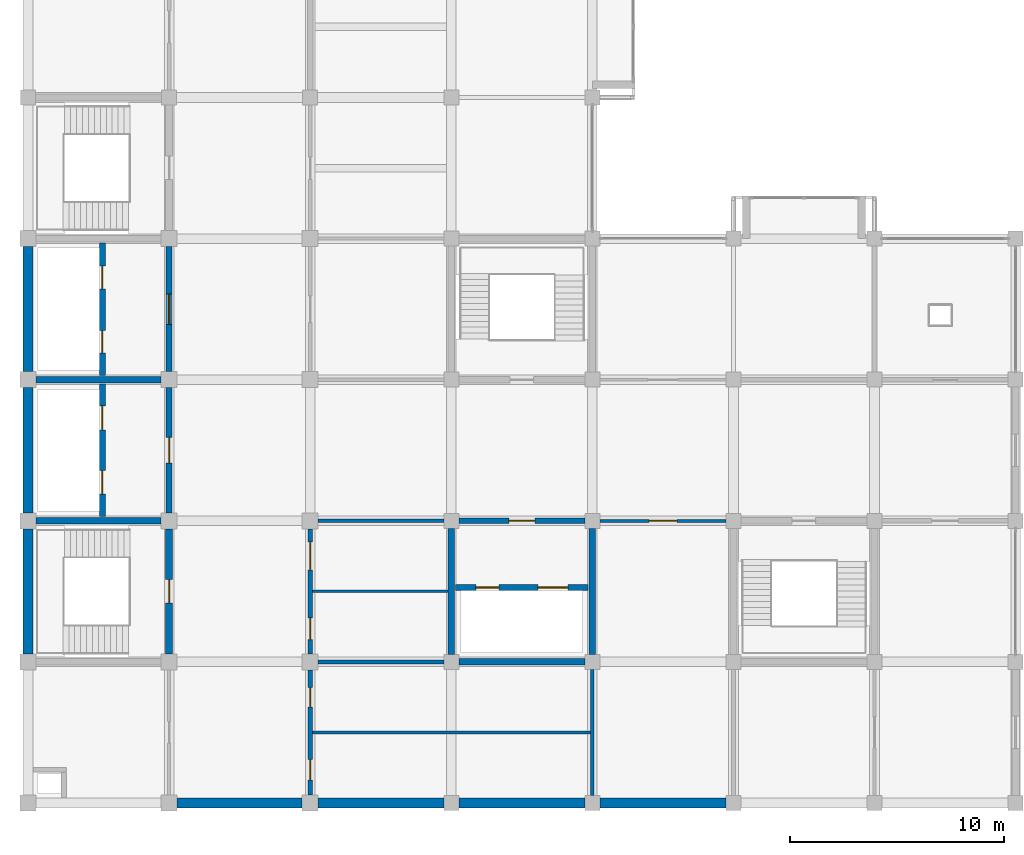
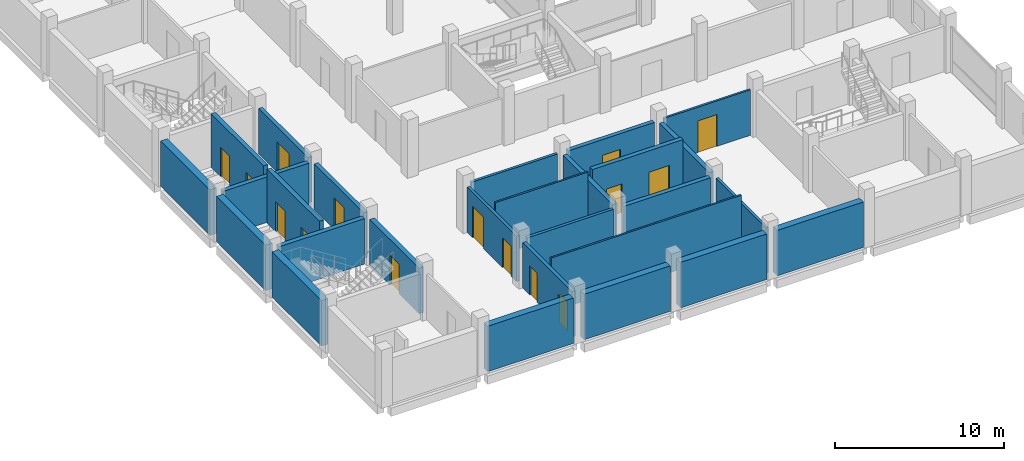
# One storey, part 7 of 11: 27 walls, 15 doors, 15 openings.
"""IFC4 building model written with IfcOpenShell, lengths in metres."""

from ifc_helpers import new_model, si_unit, direction, frame, frame_2d, origin, place, context, subcontext, project, spatial, rectangle, extrude, material, layer, layer_set, type_object, element, fill, save


model = new_model("IFC4")

# Units and contexts
model_context = context("Model", 3, precision=1e-05, world=origin(), true_north=direction((0.0, 1.0)))
body_context = subcontext(model_context, "Body", "Model", "MODEL_VIEW")
ifc_project = project(units=[si_unit("LENGTHUNIT", "METRE"), si_unit("AREAUNIT", "SQUARE_METRE"), si_unit("VOLUMEUNIT", "CUBIC_METRE"), si_unit("PLANEANGLEUNIT", "RADIAN"), si_unit("MASSUNIT", "GRAM", prefix="KILO")], contexts=[model_context])

# Site, building, storey
site_placement = place(None, origin())
site = spatial("IfcSite", under=ifc_project, at=site_placement, CompositionType="ELEMENT")
building_placement = place(site_placement, origin())
building = spatial("IfcBuilding", under=site, at=building_placement, Name="Rusizi Kubbe Research Institute", CompositionType="ELEMENT")
storey_placement = place(building_placement, frame((0.0, 0.0, 39.60009765625)))
storey = spatial("IfcBuildingStorey", under=building, at=storey_placement, Name="L09", CompositionType="ELEMENT", Elevation=39.60009765625)

# Wall
ifc_material_1 = material(Name="Concrete C45/55", Category="concrete")
ifc_layer_1 = layer(ifc_material_1, 0.31494140625)
ifc_layer_set_1 = layer_set([ifc_layer_1], Name="Concrete C45/55")
wall_type_1 = type_object("IfcWallType", Name="CRW-02", PredefinedType="SHEAR", material=ifc_layer_set_1)
wall_1_placement = place(storey_placement, frame((0.375, 13.199951171875, 0.0), z_axis=(0.0, 0.0, 1.0), x_axis=(1.0, 0.0, 0.0)))
element("IfcWall", 1, at=wall_1_placement, inside=storey, type_object=wall_type_1, Name="Stair Core Shear Wall ST1 L09 N", PredefinedType="SHEAR", context=body_context, shape_type="SweptSolid", body=[
    extrude(rectangle(XDim=5.85009765625, YDim=0.31494140625, at=frame_2d((2.925048828125, 0.0))), origin(), (0.0, 0.0, 1.0), 3.289794921875),
])

# Wall, opening, door
wall_2_placement = place(storey_placement, frame((6.60009765625, 6.97509765625, 0.0), z_axis=(0.0, 0.0, 1.0), x_axis=(0.0, 1.0, 0.0)))
wall_2 = element("IfcWall", 2, at=wall_2_placement, inside=storey, type_object=wall_type_1, Name="Stair Core Shear Wall ST1 L09 E", PredefinedType="SHEAR", context=body_context, shape_type="SweptSolid", body=[
    extrude(rectangle(XDim=5.849853515625, YDim=0.31494140625, at=frame_2d((2.9248046875, 0.0))), origin(), (0.0, 0.0, 1.0), 3.289794921875),
])
opening_1_placement = place(wall_2_placement, frame((2.375, 0.0, 0.0)))
opening_1 = element("IfcOpeningElement", 3, at=opening_1_placement, cuts=wall_2, Name="Opening D-01", PredefinedType="OPENING", context=body_context, shape_type="SweptSolid", body=[
    extrude(rectangle(XDim=1.10009765625, YDim=2.14990234375, at=frame_2d((0.550048828125, 1.074951171875))), frame((0.0, 0.16748046875, 0.0), z_axis=(0.0, -1.0, 0.0), x_axis=(1.0, 0.0, 0.0)), (0.0, 0.0, 1.0), 0.3349609375),
])
ifc_material_2 = material(Name="Fire-Rated Steel Frame and Acoustic Timber Leaf", Category="wood")
door_type_1 = type_object("IfcDoorType", Name="ID-STAIR-110", OperationType="NOTDEFINED", PredefinedType="DOOR", material=ifc_material_2)
door_1_placement = place(opening_1_placement, origin())
door_1 = element("IfcDoor", 4, at=door_1_placement, inside=storey, type_object=door_type_1, Name="Exit Stair Door ST1 L09", OperationType="SINGLE_SWING_LEFT", OverallHeight=2.14990234375, OverallWidth=1.10009765625, PredefinedType="DOOR", context=body_context, shape_type="SweptSolid", body=[
    extrude(rectangle(XDim=1.10009765625, YDim=2.14990234375, at=frame_2d((0.550048828125, 1.074951171875))), frame((0.0, 0.02490234375, 0.0), z_axis=(0.0, -1.0, 0.0), x_axis=(1.0, 0.0, 0.0)), (0.0, 0.0, 1.0), 0.050048828125),
])
fill(opening_1, door_1)

# Walls
ifc_material_3 = material(Name="Concrete C40/50", Category="concrete")
ifc_layer_2 = layer(ifc_material_3, 0.294921875)
ifc_layer_set_2 = layer_set([ifc_layer_2], Name="Concrete C40/50")
wall_type_2 = type_object("IfcWallType", Name="CRW-03", PredefinedType="SHEAR", material=ifc_layer_set_2)
wall_3_placement = place(storey_placement, frame((0.375, 19.800048828125, 0.0), z_axis=(0.0, 0.0, 1.0), x_axis=(1.0, 0.0, 0.0)))
element("IfcWall", 5, at=wall_3_placement, inside=storey, type_object=wall_type_2, Name="Lift Core Divider Wall (0,2-3) L09", PredefinedType="SHEAR", context=body_context, shape_type="SweptSolid", body=[
    extrude(rectangle(XDim=5.85009765625, YDim=0.294921875, at=frame_2d((2.925048828125, 0.0))), origin(), (0.0, 0.0, 1.0), 3.289794921875),
])
for number, where, z_axis, x_axis, name in (
    (6, (20.14990234375, 6.60009765625, 0.0), (0.0, 0.0, 1.0), (1.0, 0.0, 0.0), "Lab Lift Core Wall S (3,1) L09"),
    (7, (19.800048828125, 6.949951171875, 0.0), (0.0, 0.0, 1.0), (0.0, 1.0, 0.0), "Lab Lift Core Wall W (3,1) L09"),
    (8, (26.39990234375, 6.949951171875, 0.0), (0.0, 0.0, 1.0), (0.0, 1.0, 0.0), "Lab Lift Core Wall E (3,1) L09"),
):
    element("IfcWall", number, at=place(storey_placement, frame(where, z_axis=z_axis, x_axis=x_axis)), inside=storey, type_object=wall_type_2, Name=name, PredefinedType="SHEAR", context=body_context, shape_type="SweptSolid", body=[
        extrude(rectangle(XDim=5.900146484375, YDim=0.294921875, at=frame_2d((2.9501953125, 0.0))), origin(), (0.0, 0.0, 1.0), 3.289794921875),
    ])

# Wall, openings, doors
wall_4_placement = place(storey_placement, frame((3.47998046875, 13.39990234375, 0.0), z_axis=(0.0, 0.0, 1.0), x_axis=(0.0, 1.0, 0.0)))
wall_4 = element("IfcWall", 9, at=wall_4_placement, inside=storey, type_object=wall_type_2, Name="Firefighting Lift Shaft Front Wall L09", PredefinedType="SHEAR", context=body_context, shape_type="SweptSolid", body=[
    extrude(rectangle(XDim=6.2001953125, YDim=0.294921875, at=frame_2d((3.10009765625, 0.0))), origin(), (0.0, 0.0, 1.0), 3.889892578125),
])
opening_2_placement = place(wall_4_placement, frame((1.050048828125, 0.0, 0.0)))
opening_2 = element("IfcOpeningElement", 10, at=opening_2_placement, cuts=wall_4, Name="Opening LD-01", PredefinedType="OPENING", context=body_context, shape_type="SweptSolid", body=[
    extrude(rectangle(XDim=1.10009765625, YDim=2.14990234375, at=frame_2d((0.550048828125, 1.074951171875))), frame((0.0, 0.157470703125, 0.0), z_axis=(0.0, -1.0, 0.0), x_axis=(1.0, 0.0, 0.0)), (0.0, 0.0, 1.0), 0.31494140625),
])
opening_3_placement = place(wall_4_placement, frame((4.050048828125, 0.0, 0.0)))
opening_3 = element("IfcOpeningElement", 11, at=opening_3_placement, cuts=wall_4, Name="Opening LD-02", PredefinedType="OPENING", context=body_context, shape_type="SweptSolid", body=[
    extrude(rectangle(XDim=1.1201171875, YDim=2.14990234375, at=frame_2d((0.56005859375, 1.074951171875))), frame((0.0, 0.157470703125, 0.0), z_axis=(0.0, -1.0, 0.0), x_axis=(1.0, 0.0, 0.0)), (0.0, 0.0, 1.0), 0.31494140625),
])
ifc_material_4 = material(Name="Brushed Stainless Steel Sliding Door", Category="steel")
door_type_2 = type_object("IfcDoorType", Name="LD-01", OperationType="DOUBLE_DOOR_SLIDING", PredefinedType="USERDEFINED", material=ifc_material_4)
door_2_placement = place(opening_2_placement, origin())
door_2 = element("IfcDoor", 12, at=door_2_placement, inside=storey, type_object=door_type_2, Name="Lift Landing Sliding Door FL1 L09", ObjectType="SLIDING DOOR", OperationType="DOUBLE_DOOR_SLIDING", OverallHeight=2.14990234375, OverallWidth=1.10009765625, PredefinedType="USERDEFINED", context=body_context, shape_type="SweptSolid", body=[
    extrude(rectangle(XDim=1.10009765625, YDim=2.14990234375, at=frame_2d((0.550048828125, 1.074951171875))), frame((0.0, 0.02490234375, 0.0), z_axis=(0.0, -1.0, 0.0), x_axis=(1.0, 0.0, 0.0)), (0.0, 0.0, 1.0), 0.050048828125),
])
fill(opening_2, door_2)
ifc_material_5 = material(Name="Brushed Stainless Steel Sliding Door", Category="steel")
door_type_3 = type_object("IfcDoorType", Name="LD-02", OperationType="DOUBLE_DOOR_SLIDING", PredefinedType="USERDEFINED", material=ifc_material_5)
door_3_placement = place(opening_3_placement, origin())
door_3 = element("IfcDoor", 13, at=door_3_placement, inside=storey, type_object=door_type_3, Name="Lift Landing Sliding Door FL2 L09", ObjectType="SLIDING DOOR", OperationType="DOUBLE_DOOR_SLIDING", OverallHeight=2.14990234375, OverallWidth=1.1201171875, PredefinedType="USERDEFINED", context=body_context, shape_type="SweptSolid", body=[
    extrude(rectangle(XDim=1.1201171875, YDim=2.14990234375, at=frame_2d((0.56005859375, 1.074951171875))), frame((0.0, 0.02490234375, 0.0), z_axis=(0.0, -1.0, 0.0), x_axis=(1.0, 0.0, 0.0)), (0.0, 0.0, 1.0), 0.050048828125),
])
fill(opening_3, door_3)

wall_5_placement = place(storey_placement, frame((3.47998046875, 20.0, 0.0), z_axis=(0.0, 0.0, 1.0), x_axis=(0.0, 1.0, 0.0)))
wall_5 = element("IfcWall", 14, at=wall_5_placement, inside=storey, type_object=wall_type_2, Name="Passenger Lift Shaft Front Wall L09", PredefinedType="SHEAR", context=body_context, shape_type="SweptSolid", body=[
    extrude(rectangle(XDim=6.199951171875, YDim=0.294921875, at=frame_2d((3.10009765625, 0.0))), origin(), (0.0, 0.0, 1.0), 3.889892578125),
])
opening_4_placement = place(wall_5_placement, frame((1.050048828125, 0.0, 0.0)))
opening_4 = element("IfcOpeningElement", 15, at=opening_4_placement, cuts=wall_5, Name="Opening LD-03", PredefinedType="OPENING", context=body_context, shape_type="SweptSolid", body=[
    extrude(rectangle(XDim=1.050048828125, YDim=2.14990234375, at=frame_2d((0.52490234375, 1.074951171875))), frame((0.0, 0.157470703125, 0.0), z_axis=(0.0, -1.0, 0.0), x_axis=(1.0, 0.0, 0.0)), (0.0, 0.0, 1.0), 0.31494140625),
])
opening_5_placement = place(wall_5_placement, frame((4.050048828125, 0.0, 0.0)))
opening_5 = element("IfcOpeningElement", 16, at=opening_5_placement, cuts=wall_5, Name="Opening LD-04", PredefinedType="OPENING", context=body_context, shape_type="SweptSolid", body=[
    extrude(rectangle(XDim=1.06005859375, YDim=2.14990234375, at=frame_2d((0.530029296875, 1.074951171875))), frame((0.0, 0.157470703125, 0.0), z_axis=(0.0, -1.0, 0.0), x_axis=(1.0, 0.0, 0.0)), (0.0, 0.0, 1.0), 0.31494140625),
])
ifc_material_6 = material(Name="Brushed Stainless Steel Sliding Door", Category="steel")
door_type_4 = type_object("IfcDoorType", Name="LD-03", OperationType="DOUBLE_DOOR_SLIDING", PredefinedType="USERDEFINED", material=ifc_material_6)
door_4_placement = place(opening_4_placement, origin())
door_4 = element("IfcDoor", 17, at=door_4_placement, inside=storey, type_object=door_type_4, Name="Lift Landing Sliding Door LP1 L09", ObjectType="SLIDING DOOR", OperationType="DOUBLE_DOOR_SLIDING", OverallHeight=2.14990234375, OverallWidth=1.050048828125, PredefinedType="USERDEFINED", context=body_context, shape_type="SweptSolid", body=[
    extrude(rectangle(XDim=1.050048828125, YDim=2.14990234375, at=frame_2d((0.52490234375, 1.074951171875))), frame((0.0, 0.02490234375, 0.0), z_axis=(0.0, -1.0, 0.0), x_axis=(1.0, 0.0, 0.0)), (0.0, 0.0, 1.0), 0.050048828125),
])
fill(opening_4, door_4)
ifc_material_7 = material(Name="Brushed Stainless Steel Sliding Door", Category="steel")
door_type_5 = type_object("IfcDoorType", Name="LD-04", OperationType="DOUBLE_DOOR_SLIDING", PredefinedType="USERDEFINED", material=ifc_material_7)
door_5_placement = place(opening_5_placement, origin())
door_5 = element("IfcDoor", 18, at=door_5_placement, inside=storey, type_object=door_type_5, Name="Lift Landing Sliding Door LP2 L09", ObjectType="SLIDING DOOR", OperationType="DOUBLE_DOOR_SLIDING", OverallHeight=2.14990234375, OverallWidth=1.06005859375, PredefinedType="USERDEFINED", context=body_context, shape_type="SweptSolid", body=[
    extrude(rectangle(XDim=1.06005859375, YDim=2.14990234375, at=frame_2d((0.530029296875, 1.074951171875))), frame((0.0, 0.02490234375, 0.0), z_axis=(0.0, -1.0, 0.0), x_axis=(1.0, 0.0, 0.0)), (0.0, 0.0, 1.0), 0.050048828125),
])
fill(opening_5, door_5)

wall_6_placement = place(storey_placement, frame((20.0, 10.080078125, 0.0), z_axis=(0.0, 0.0, 1.0), x_axis=(1.0, 0.0, 0.0)))
wall_6 = element("IfcWall", 19, at=wall_6_placement, inside=storey, type_object=wall_type_2, Name="Goods Lift Shaft Front Wall L09", PredefinedType="SHEAR", context=body_context, shape_type="SweptSolid", body=[
    extrude(rectangle(XDim=6.199951171875, YDim=0.294921875, at=frame_2d((3.10009765625, 0.0))), origin(), (0.0, 0.0, 1.0), 3.889892578125),
])
opening_6_placement = place(wall_6_placement, frame((0.949951171875, 0.0, 0.0)))
opening_6 = element("IfcOpeningElement", 20, at=opening_6_placement, cuts=wall_6, Name="Opening LD-05", PredefinedType="OPENING", context=body_context, shape_type="SweptSolid", body=[
    extrude(rectangle(XDim=1.080078125, YDim=2.14990234375, at=frame_2d((0.5400390625, 1.074951171875))), frame((0.0, 0.157470703125, 0.0), z_axis=(0.0, -1.0, 0.0), x_axis=(1.0, 0.0, 0.0)), (0.0, 0.0, 1.0), 0.31494140625),
])
opening_7_placement = place(wall_6_placement, frame((3.85009765625, 0.0, 0.0)))
opening_7 = element("IfcOpeningElement", 21, at=opening_7_placement, cuts=wall_6, Name="Opening LD-06", PredefinedType="OPENING", context=body_context, shape_type="SweptSolid", body=[
    extrude(rectangle(XDim=1.39990234375, YDim=2.35009765625, at=frame_2d((0.699951171875, 1.175048828125))), frame((0.0, 0.157470703125, 0.0), z_axis=(0.0, -1.0, 0.0), x_axis=(1.0, 0.0, 0.0)), (0.0, 0.0, 1.0), 0.31494140625),
])
ifc_material_8 = material(Name="Brushed Stainless Steel Sliding Door", Category="steel")
door_type_6 = type_object("IfcDoorType", Name="LD-05", OperationType="DOUBLE_DOOR_SLIDING", PredefinedType="USERDEFINED", material=ifc_material_8)
door_6_placement = place(opening_6_placement, origin())
door_6 = element("IfcDoor", 22, at=door_6_placement, inside=storey, type_object=door_type_6, Name="Lift Landing Sliding Door LP3 L09", ObjectType="SLIDING DOOR", OperationType="DOUBLE_DOOR_SLIDING", OverallHeight=2.14990234375, OverallWidth=1.080078125, PredefinedType="USERDEFINED", context=body_context, shape_type="SweptSolid", body=[
    extrude(rectangle(XDim=1.080078125, YDim=2.14990234375, at=frame_2d((0.5400390625, 1.074951171875))), frame((0.0, 0.02490234375, 0.0), z_axis=(0.0, -1.0, 0.0), x_axis=(1.0, 0.0, 0.0)), (0.0, 0.0, 1.0), 0.050048828125),
])
fill(opening_6, door_6)
ifc_material_9 = material(Name="Brushed Stainless Steel Sliding Door", Category="steel")
door_type_7 = type_object("IfcDoorType", Name="LD-06", OperationType="DOUBLE_DOOR_SLIDING", PredefinedType="USERDEFINED", material=ifc_material_9)
door_7_placement = place(opening_7_placement, origin())
door_7 = element("IfcDoor", 23, at=door_7_placement, inside=storey, type_object=door_type_7, Name="Lift Landing Sliding Door LG1 L09", ObjectType="SLIDING DOOR", OperationType="DOUBLE_DOOR_SLIDING", OverallHeight=2.35009765625, OverallWidth=1.39990234375, PredefinedType="USERDEFINED", context=body_context, shape_type="SweptSolid", body=[
    extrude(rectangle(XDim=1.39990234375, YDim=2.35009765625, at=frame_2d((0.699951171875, 1.175048828125))), frame((0.0, 0.02490234375, 0.0), z_axis=(0.0, -1.0, 0.0), x_axis=(1.0, 0.0, 0.0)), (0.0, 0.0, 1.0), 0.050048828125),
])
fill(opening_7, door_7)

ifc_material_10 = material(Name="Concrete Blockwork Fire Partition", Category="masonry")
ifc_layer_3 = layer(ifc_material_10, 0.22509765625)
ifc_layer_set_3 = layer_set([ifc_layer_3], Name="Concrete Blockwork Fire Partition")
wall_type_3 = type_object("IfcWallType", Name="IW-01", PredefinedType="PARTITIONING", material=ifc_layer_set_3)
wall_7_placement = place(storey_placement, frame((13.199951171875, 0.375, 0.0), z_axis=(0.0, 0.0, 1.0), x_axis=(0.0, 1.0, 0.0)))
wall_7 = element("IfcWall", 24, at=wall_7_placement, inside=storey, type_object=wall_type_3, Name="Sanitary Core West Corridor Wall L09", PredefinedType="PARTITIONING", context=body_context, shape_type="SweptSolid", body=[
    extrude(rectangle(XDim=5.85009765625, YDim=0.22509765625, at=frame_2d((2.925048828125, 0.0))), origin(), (0.0, 0.0, 1.0), 3.289794921875),
])
opening_8_placement = place(wall_7_placement, frame((0.699951171875, 0.0, 0.0)))
opening_8 = element("IfcOpeningElement", 25, at=opening_8_placement, cuts=wall_7, Name="Opening D-06", PredefinedType="OPENING", context=body_context, shape_type="SweptSolid", body=[
    extrude(rectangle(XDim=0.949951171875, YDim=2.10009765625, at=frame_2d((0.47509765625, 1.050048828125))), frame((0.0, 0.12255859375, 0.0), z_axis=(0.0, -1.0, 0.0), x_axis=(1.0, 0.0, 0.0)), (0.0, 0.0, 1.0), 0.2451171875),
])
opening_9_placement = place(wall_7_placement, frame((4.125, 0.0, 0.0)))
opening_9 = element("IfcOpeningElement", 26, at=opening_9_placement, cuts=wall_7, Name="Opening D-05", PredefinedType="OPENING", context=body_context, shape_type="SweptSolid", body=[
    extrude(rectangle(XDim=0.89990234375, YDim=2.10009765625, at=frame_2d((0.449951171875, 1.050048828125))), frame((0.0, 0.12255859375, 0.0), z_axis=(0.0, -1.0, 0.0), x_axis=(1.0, 0.0, 0.0)), (0.0, 0.0, 1.0), 0.2451171875),
])
ifc_material_11 = material(Name="Fire-Rated Steel Frame and Acoustic Timber Leaf", Category="wood")
door_type_8 = type_object("IfcDoorType", Name="ID-WC-900", OperationType="NOTDEFINED", PredefinedType="DOOR", material=ifc_material_11)
door_8_placement = place(opening_9_placement, origin())
door_8 = element("IfcDoor", 27, at=door_8_placement, inside=storey, type_object=door_type_8, Name="Door to Female Toilet Room (L09-WC-F)", OperationType="SINGLE_SWING_LEFT", OverallHeight=2.10009765625, OverallWidth=0.89990234375, PredefinedType="DOOR", context=body_context, shape_type="SweptSolid", body=[
    extrude(rectangle(XDim=0.89990234375, YDim=2.10009765625, at=frame_2d((0.449951171875, 1.050048828125))), frame((0.0, 0.02490234375, 0.0), z_axis=(0.0, -1.0, 0.0), x_axis=(1.0, 0.0, 0.0)), (0.0, 0.0, 1.0), 0.050048828125),
])
fill(opening_9, door_8)
ifc_material_12 = material(Name="Fire-Rated Steel Frame and Acoustic Timber Leaf", Category="wood")
door_type_9 = type_object("IfcDoorType", Name="ID-WC-950", OperationType="NOTDEFINED", PredefinedType="DOOR", material=ifc_material_12)
door_9_placement = place(opening_8_placement, origin())
door_9 = element("IfcDoor", 28, at=door_9_placement, inside=storey, type_object=door_type_9, Name="Door to Male Toilet Room (L09-WC-M)", OperationType="SINGLE_SWING_RIGHT", OverallHeight=2.10009765625, OverallWidth=0.949951171875, PredefinedType="DOOR", context=body_context, shape_type="SweptSolid", body=[
    extrude(rectangle(XDim=0.949951171875, YDim=2.10009765625, at=frame_2d((0.47509765625, 1.050048828125))), frame((0.0, 0.02490234375, 0.0), z_axis=(0.0, -1.0, 0.0), x_axis=(1.0, 0.0, 0.0)), (0.0, 0.0, 1.0), 0.050048828125),
])
fill(opening_8, door_9)

# Wall
ifc_material_13 = material(Name="Insulated Cleanroom Partition", Category="masonry")
ifc_layer_4 = layer(ifc_material_13, 0.195068359375)
ifc_layer_set_4 = layer_set([ifc_layer_4], Name="Insulated Cleanroom Partition")
wall_type_4 = type_object("IfcWallType", Name="IW-02", PredefinedType="PARTITIONING", material=ifc_layer_set_4)
wall_8_placement = place(storey_placement, frame((13.574951171875, 6.60009765625, 0.0), z_axis=(0.0, 0.0, 1.0), x_axis=(1.0, 0.0, 0.0)))
element("IfcWall", 29, at=wall_8_placement, inside=storey, type_object=wall_type_4, Name="Sanitary Core North Divider Wall L09", PredefinedType="PARTITIONING", context=body_context, shape_type="SweptSolid", body=[
    extrude(rectangle(XDim=5.875, YDim=0.195068359375, at=frame_2d((2.9375, 0.0))), origin(), (0.0, 0.0, 1.0), 3.289794921875),
])

# Wall, openings, doors
wall_9_placement = place(storey_placement, frame((13.199951171875, 6.97509765625, 0.0), z_axis=(0.0, 0.0, 1.0), x_axis=(0.0, 1.0, 0.0)))
wall_9 = element("IfcWall", 30, at=wall_9_placement, inside=storey, type_object=wall_type_4, Name="Accessible WC and Store West Wall L09", PredefinedType="PARTITIONING", context=body_context, shape_type="SweptSolid", body=[
    extrude(rectangle(XDim=5.849853515625, YDim=0.195068359375, at=frame_2d((2.9248046875, 0.0))), origin(), (0.0, 0.0, 1.0), 3.289794921875),
])
opening_10_placement = place(wall_9_placement, frame((0.6650390625, 0.0, 0.0)))
opening_10 = element("IfcOpeningElement", 31, at=opening_10_placement, cuts=wall_9, Name="Opening D-07", PredefinedType="OPENING", context=body_context, shape_type="SweptSolid", body=[
    extrude(rectangle(XDim=1.02001953125, YDim=2.14990234375, at=frame_2d((0.510009765625, 1.074951171875))), frame((0.0, 0.107421875, 0.0), z_axis=(0.0, -1.0, 0.0), x_axis=(1.0, 0.0, 0.0)), (0.0, 0.0, 1.0), 0.215087890625),
])
opening_11_placement = place(wall_9_placement, frame((3.925048828125, 0.0, 0.0)))
opening_11 = element("IfcOpeningElement", 32, at=opening_11_placement, cuts=wall_9, Name="Opening D-14", PredefinedType="OPENING", context=body_context, shape_type="SweptSolid", body=[
    extrude(rectangle(XDim=1.300048828125, YDim=2.300048828125, at=frame_2d((0.64990234375, 1.14990234375))), frame((0.0, 0.107421875, 0.0), z_axis=(0.0, -1.0, 0.0), x_axis=(1.0, 0.0, 0.0)), (0.0, 0.0, 1.0), 0.215087890625),
])
ifc_material_14 = material(Name="Fire-Rated Steel Frame and Acoustic Timber Leaf", Category="wood")
door_type_10 = type_object("IfcDoorType", Name="ID-LAB-130", OperationType="NOTDEFINED", PredefinedType="DOOR", material=ifc_material_14)
door_10_placement = place(opening_11_placement, origin())
door_10 = element("IfcDoor", 33, at=door_10_placement, inside=storey, type_object=door_type_10, Name="Door to Laboratory Reagent Store (L09-STR-01)", OperationType="SINGLE_SWING_RIGHT", OverallHeight=2.300048828125, OverallWidth=1.300048828125, PredefinedType="DOOR", context=body_context, shape_type="SweptSolid", body=[
    extrude(rectangle(XDim=1.300048828125, YDim=2.300048828125, at=frame_2d((0.64990234375, 1.14990234375))), frame((0.0, 0.02490234375, 0.0), z_axis=(0.0, -1.0, 0.0), x_axis=(1.0, 0.0, 0.0)), (0.0, 0.0, 1.0), 0.050048828125),
])
fill(opening_11, door_10)
ifc_material_15 = material(Name="Fire-Rated Steel Frame and Acoustic Timber Leaf", Category="wood")
door_type_11 = type_object("IfcDoorType", Name="ID-WC-ACC", OperationType="NOTDEFINED", PredefinedType="DOOR", material=ifc_material_15)
door_11_placement = place(opening_10_placement, origin())
door_11 = element("IfcDoor", 34, at=door_11_placement, inside=storey, type_object=door_type_11, Name="Door to Accessible Toilet Room (L09-WC-ACC)", OperationType="SINGLE_SWING_LEFT", OverallHeight=2.14990234375, OverallWidth=1.02001953125, PredefinedType="DOOR", context=body_context, shape_type="SweptSolid", body=[
    extrude(rectangle(XDim=1.02001953125, YDim=2.14990234375, at=frame_2d((0.510009765625, 1.074951171875))), frame((0.0, 0.02490234375, 0.0), z_axis=(0.0, -1.0, 0.0), x_axis=(1.0, 0.0, 0.0)), (0.0, 0.0, 1.0), 0.050048828125),
])
fill(opening_10, door_11)

# Walls
ifc_material_16 = material(Name="Acoustic Laboratory Partition", Category="masonry")
ifc_layer_5 = layer(ifc_material_16, 0.175048828125)
ifc_layer_set_5 = layer_set([ifc_layer_5], Name="Acoustic Laboratory Partition")
wall_type_5 = type_object("IfcWallType", Name="IW-03", PredefinedType="PARTITIONING", material=ifc_layer_set_5)
wall_10_placement = place(storey_placement, frame((26.39990234375, 0.35009765625, 0.0), z_axis=(0.0, 0.0, 1.0), x_axis=(0.0, 1.0, 0.0)))
element("IfcWall", 35, at=wall_10_placement, inside=storey, type_object=wall_type_5, Name="Sanitary Core East Enclosing Wall L09", PredefinedType="PARTITIONING", context=body_context, shape_type="SweptSolid", body=[
    extrude(rectangle(XDim=5.89990234375, YDim=0.175048828125, at=frame_2d((2.949951171875, 0.0))), origin(), (0.0, 0.0, 1.0), 3.289794921875),
])
wall_11_placement = place(storey_placement, frame((13.574951171875, 13.199951171875, 0.0), z_axis=(0.0, 0.0, 1.0), x_axis=(1.0, 0.0, 0.0)))
element("IfcWall", 36, at=wall_11_placement, inside=storey, type_object=wall_type_5, Name="Reagent Store North Corridor Wall L09", PredefinedType="PARTITIONING", context=body_context, shape_type="SweptSolid", body=[
    extrude(rectangle(XDim=5.875, YDim=0.175048828125, at=frame_2d((2.9375, 0.0))), origin(), (0.0, 0.0, 1.0), 3.289794921875),
])

# Wall, opening, door
ifc_material_17 = material(Name="Write-up Glazed Acoustic Partition", Category="masonry")
ifc_layer_6 = layer(ifc_material_17, 0.139892578125)
ifc_layer_set_6 = layer_set([ifc_layer_6], Name="Write-up Glazed Acoustic Partition")
wall_type_6 = type_object("IfcWallType", Name="IW-05", PredefinedType="PARTITIONING", material=ifc_layer_set_6)
wall_12_placement = place(storey_placement, frame((26.75, 13.199951171875, 0.0), z_axis=(0.0, 0.0, 1.0), x_axis=(1.0, 0.0, 0.0)))
wall_12 = element("IfcWall", 37, at=wall_12_placement, inside=storey, type_object=wall_type_6, Name="Interior Partition Wall L09 H4-2", PredefinedType="PARTITIONING", context=body_context, shape_type="SweptSolid", body=[
    extrude(rectangle(XDim=5.89990234375, YDim=0.139892578125, at=frame_2d((2.949951171875, 0.0))), origin(), (0.0, 0.0, 1.0), 3.289794921875),
])
opening_12_placement = place(wall_12_placement, frame((2.300048828125, 0.0, 0.0)))
opening_12 = element("IfcOpeningElement", 38, at=opening_12_placement, cuts=wall_12, Name="Opening D-14", PredefinedType="OPENING", context=body_context, shape_type="SweptSolid", body=[
    extrude(rectangle(XDim=1.300048828125, YDim=2.300048828125, at=frame_2d((0.64990234375, 1.14990234375))), frame((0.0, 0.079833984375, 0.0), z_axis=(0.0, -1.0, 0.0), x_axis=(1.0, 0.0, 0.0)), (0.0, 0.0, 1.0), 0.159912109375),
])
door_12_placement = place(opening_12_placement, origin())
door_12 = element("IfcDoor", 39, at=door_12_placement, inside=storey, type_object=door_type_10, Name="Door to Clean Room Process Suite (L09-EWS-01)", OperationType="SINGLE_SWING_RIGHT", OverallHeight=2.300048828125, OverallWidth=1.300048828125, PredefinedType="DOOR", context=body_context, shape_type="SweptSolid", body=[
    extrude(rectangle(XDim=1.300048828125, YDim=2.300048828125, at=frame_2d((0.64990234375, 1.14990234375))), frame((0.0, 0.02490234375, 0.0), z_axis=(0.0, -1.0, 0.0), x_axis=(1.0, 0.0, 0.0)), (0.0, 0.0, 1.0), 0.050048828125),
])
fill(opening_12, door_12)

# Walls
ifc_material_18 = material(Name="Sanitary Wet-Wall Partition", Category="masonry")
ifc_layer_7 = layer(ifc_material_18, 0.125)
ifc_layer_set_7 = layer_set([ifc_layer_7], Name="Sanitary Wet-Wall Partition")
wall_type_7 = type_object("IfcWallType", Name="IW-06", PredefinedType="PARTITIONING", material=ifc_layer_set_7)
wall_13_placement = place(storey_placement, frame((13.3173828125, 3.300048828125, 0.0), z_axis=(0.0, 0.0, 1.0), x_axis=(1.0, 0.0, 0.0)))
element("IfcWall", 40, at=wall_13_placement, inside=storey, type_object=wall_type_7, Name="Sanitary Divider Wall L09-1", PredefinedType="PARTITIONING", context=body_context, shape_type="SweptSolid", body=[
    extrude(rectangle(XDim=12.990234375, YDim=0.125, at=frame_2d((6.4951171875, 0.0))), origin(), (0.0, 0.0, 1.0), 3.889892578125),
])
wall_14_placement = place(storey_placement, frame((13.302490234375, 9.89990234375, 0.0), z_axis=(0.0, 0.0, 1.0), x_axis=(1.0, 0.0, 0.0)))
element("IfcWall", 41, at=wall_14_placement, inside=storey, type_object=wall_type_7, Name="Sanitary Divider Wall L09-2", PredefinedType="PARTITIONING", context=body_context, shape_type="SweptSolid", body=[
    extrude(rectangle(XDim=6.344970703125, YDim=0.125, at=frame_2d((3.17236328125, 0.0))), origin(), (0.0, 0.0, 1.0), 3.889892578125),
])
ifc_material_19 = material(Name="Concrete C40/50", Category="concrete")
ifc_layer_8 = layer(ifc_material_19, 0.4599609375)
ifc_layer_set_8 = layer_set([ifc_layer_8], Name="Concrete C40/50")
wall_type_8 = type_object("IfcWallType", Name="PW-02", PredefinedType="SOLIDWALL", material=ifc_layer_set_8)
wall_15_placement = place(storey_placement, frame((0.0, 6.97509765625, 0.0), z_axis=(0.0, 0.0, 1.0), x_axis=(0.0, 1.0, 0.0)))
element("IfcWall", 42, at=wall_15_placement, inside=storey, type_object=wall_type_8, Name="Blind Party Wall L09 V0-1", PredefinedType="SOLIDWALL", context=body_context, shape_type="SweptSolid", body=[
    extrude(rectangle(XDim=5.849853515625, YDim=0.4599609375, at=frame_2d((2.9248046875, 0.0))), origin(), (0.0, 0.0, 1.0), 3.289794921875),
])
wall_16_placement = place(storey_placement, frame((0.0, 13.574951171875, 0.0), z_axis=(0.0, 0.0, 1.0), x_axis=(0.0, 1.0, 0.0)))
element("IfcWall", 43, at=wall_16_placement, inside=storey, type_object=wall_type_8, Name="Blind Party Wall L09 V0-2", PredefinedType="SOLIDWALL", context=body_context, shape_type="SweptSolid", body=[
    extrude(rectangle(XDim=5.85009765625, YDim=0.4599609375, at=frame_2d((2.925048828125, 0.0))), origin(), (0.0, 0.0, 1.0), 3.289794921875),
])
for number, where, z_axis, x_axis, name in (
    (44, (0.0, 20.175048828125, 0.0), (0.0, 0.0, 1.0), (0.0, 1.0, 0.0), "Blind Party Wall L09 V0-3"),
    (45, (6.97509765625, 0.0, 0.0), (0.0, 0.0, 1.0), (1.0, 0.0, 0.0), "Blind Party Wall L09 H1-0"),
):
    element("IfcWall", number, at=place(storey_placement, frame(where, z_axis=z_axis, x_axis=x_axis)), inside=storey, type_object=wall_type_8, Name=name, PredefinedType="SOLIDWALL", context=body_context, shape_type="SweptSolid", body=[
        extrude(rectangle(XDim=5.849853515625, YDim=0.4599609375, at=frame_2d((2.9248046875, 0.0))), origin(), (0.0, 0.0, 1.0), 3.289794921875),
    ])
wall_17_placement = place(storey_placement, frame((13.574951171875, 0.0, 0.0), z_axis=(0.0, 0.0, 1.0), x_axis=(1.0, 0.0, 0.0)))
element("IfcWall", 46, at=wall_17_placement, inside=storey, type_object=wall_type_8, Name="Blind Party Wall L09 H2-0", PredefinedType="SOLIDWALL", context=body_context, shape_type="SweptSolid", body=[
    extrude(rectangle(XDim=5.875, YDim=0.4599609375, at=frame_2d((2.9375, 0.0))), origin(), (0.0, 0.0, 1.0), 3.289794921875),
])
wall_18_placement = place(storey_placement, frame((20.14990234375, 0.0, 0.0), z_axis=(0.0, 0.0, 1.0), x_axis=(1.0, 0.0, 0.0)))
element("IfcWall", 47, at=wall_18_placement, inside=storey, type_object=wall_type_8, Name="Blind Party Wall L09 H3-0", PredefinedType="SOLIDWALL", context=body_context, shape_type="SweptSolid", body=[
    extrude(rectangle(XDim=5.900146484375, YDim=0.4599609375, at=frame_2d((2.9501953125, 0.0))), origin(), (0.0, 0.0, 1.0), 3.289794921875),
])
wall_19_placement = place(storey_placement, frame((26.75, 0.0, 0.0), z_axis=(0.0, 0.0, 1.0), x_axis=(1.0, 0.0, 0.0)))
element("IfcWall", 48, at=wall_19_placement, inside=storey, type_object=wall_type_8, Name="Blind Party Wall L09 H4-0", PredefinedType="SOLIDWALL", context=body_context, shape_type="SweptSolid", body=[
    extrude(rectangle(XDim=5.89990234375, YDim=0.4599609375, at=frame_2d((2.949951171875, 0.0))), origin(), (0.0, 0.0, 1.0), 3.289794921875),
])

# Wall, opening, door
ifc_material_20 = material(Name="Concrete C40/50", Category="concrete")
ifc_layer_9 = layer(ifc_material_20, 0.27490234375)
ifc_layer_set_9 = layer_set([ifc_layer_9], Name="Concrete C40/50")
wall_type_9 = type_object("IfcWallType", Name="SHW-01", PredefinedType="SHEAR", material=ifc_layer_set_9)
wall_20_placement = place(storey_placement, frame((6.60009765625, 13.574951171875, 0.0), z_axis=(0.0, 0.0, 1.0), x_axis=(0.0, 1.0, 0.0)))
wall_20 = element("IfcWall", 49, at=wall_20_placement, inside=storey, type_object=wall_type_9, Name="Firefighting Lobby Wall L09", PredefinedType="SHEAR", context=body_context, shape_type="SweptSolid", body=[
    extrude(rectangle(XDim=5.85009765625, YDim=0.27490234375, at=frame_2d((2.925048828125, 0.0))), origin(), (0.0, 0.0, 1.0), 3.289794921875),
])
opening_13_placement = place(wall_20_placement, frame((2.324951171875, 0.0, 0.0)))
opening_13 = element("IfcOpeningElement", 50, at=opening_13_placement, cuts=wall_20, Name="Opening D-03", PredefinedType="OPENING", context=body_context, shape_type="SweptSolid", body=[
    extrude(rectangle(XDim=1.199951171875, YDim=2.25, at=frame_2d((0.60009765625, 1.125))), frame((0.0, 0.1474609375, 0.0), z_axis=(0.0, -1.0, 0.0), x_axis=(1.0, 0.0, 0.0)), (0.0, 0.0, 1.0), 0.294921875),
])
ifc_material_21 = material(Name="Fire-Rated Steel Frame and Acoustic Timber Leaf", Category="wood")
door_type_12 = type_object("IfcDoorType", Name="ID-FF-120", OperationType="NOTDEFINED", PredefinedType="DOOR", material=ifc_material_21)
door_13_placement = place(opening_13_placement, origin())
door_13 = element("IfcDoor", 51, at=door_13_placement, inside=storey, type_object=door_type_12, Name="Door to Firefighting Lift Lobby (L09-FFL-01)", OperationType="SINGLE_SWING_LEFT", OverallHeight=2.25, OverallWidth=1.199951171875, PredefinedType="DOOR", context=body_context, shape_type="SweptSolid", body=[
    extrude(rectangle(XDim=1.199951171875, YDim=2.25, at=frame_2d((0.60009765625, 1.125))), frame((0.0, 0.02490234375, 0.0), z_axis=(0.0, -1.0, 0.0), x_axis=(1.0, 0.0, 0.0)), (0.0, 0.0, 1.0), 0.050048828125),
])
fill(opening_13, door_13)

wall_21_placement = place(storey_placement, frame((6.60009765625, 20.175048828125, 0.0), z_axis=(0.0, 0.0, 1.0), x_axis=(0.0, 1.0, 0.0)))
wall_21 = element("IfcWall", 52, at=wall_21_placement, inside=storey, type_object=wall_type_9, Name="Passenger Lift Lobby Wall L09", PredefinedType="SHEAR", context=body_context, shape_type="SweptSolid", body=[
    extrude(rectangle(XDim=5.849853515625, YDim=0.27490234375, at=frame_2d((2.9248046875, 0.0))), origin(), (0.0, 0.0, 1.0), 3.289794921875),
])
opening_14_placement = place(wall_21_placement, frame((2.215087890625, 0.0, 0.0)))
opening_14 = element("IfcOpeningElement", 53, at=opening_14_placement, cuts=wall_21, Name="Opening D-22", PredefinedType="OPENING", context=body_context, shape_type="SweptSolid", body=[
    extrude(rectangle(XDim=1.419921875, YDim=2.199951171875, at=frame_2d((0.7099609375, 1.10009765625))), frame((0.0, 0.1474609375, 0.0), z_axis=(0.0, -1.0, 0.0), x_axis=(1.0, 0.0, 0.0)), (0.0, 0.0, 1.0), 0.294921875),
])
ifc_material_22 = material(Name="Fire-Rated Steel Frame and Acoustic Timber Leaf", Category="wood")
door_type_13 = type_object("IfcDoorType", Name="ID-STR-142", OperationType="DOUBLE_DOOR_SINGLE_SWING", PredefinedType="DOOR", material=ifc_material_22)
door_14_placement = place(opening_14_placement, origin())
door_14 = element("IfcDoor", 54, at=door_14_placement, inside=storey, type_object=door_type_13, Name="Door to Passenger Lift Lobby (L09-LBY-01)", OperationType="DOUBLE_DOOR_SINGLE_SWING", OverallHeight=2.199951171875, OverallWidth=1.419921875, PredefinedType="DOOR", context=body_context, shape_type="SweptSolid", body=[
    extrude(rectangle(XDim=1.419921875, YDim=2.199951171875, at=frame_2d((0.7099609375, 1.10009765625))), frame((0.0, 0.02490234375, 0.0), z_axis=(0.0, -1.0, 0.0), x_axis=(1.0, 0.0, 0.0)), (0.0, 0.0, 1.0), 0.050048828125),
])
fill(opening_14, door_14)

wall_22_placement = place(storey_placement, frame((20.14990234375, 13.199951171875, 0.0), z_axis=(0.0, 0.0, 1.0), x_axis=(1.0, 0.0, 0.0)))
wall_22 = element("IfcWall", 55, at=wall_22_placement, inside=storey, type_object=wall_type_9, Name="Goods Lift Lobby Wall L09", PredefinedType="SHEAR", context=body_context, shape_type="SweptSolid", body=[
    extrude(rectangle(XDim=5.900146484375, YDim=0.27490234375, at=frame_2d((2.9501953125, 0.0))), origin(), (0.0, 0.0, 1.0), 3.289794921875),
])
opening_15_placement = place(wall_22_placement, frame((2.340087890625, 0.0, 0.0)))
opening_15 = element("IfcOpeningElement", 56, at=opening_15_placement, cuts=wall_22, Name="Opening D-21", PredefinedType="OPENING", context=body_context, shape_type="SweptSolid", body=[
    extrude(rectangle(XDim=1.219970703125, YDim=2.14990234375, at=frame_2d((0.60986328125, 1.074951171875))), frame((0.0, 0.1474609375, 0.0), z_axis=(0.0, -1.0, 0.0), x_axis=(1.0, 0.0, 0.0)), (0.0, 0.0, 1.0), 0.294921875),
])
ifc_material_23 = material(Name="Fire-Rated Steel Frame and Acoustic Timber Leaf", Category="wood")
door_type_14 = type_object("IfcDoorType", Name="ID-STR-122", OperationType="NOTDEFINED", PredefinedType="DOOR", material=ifc_material_23)
door_15_placement = place(opening_15_placement, origin())
door_15 = element("IfcDoor", 57, at=door_15_placement, inside=storey, type_object=door_type_14, Name="Door to Laboratory Goods Lift Lobby (L09-GLB-01)", OperationType="SINGLE_SWING_RIGHT", OverallHeight=2.14990234375, OverallWidth=1.219970703125, PredefinedType="DOOR", context=body_context, shape_type="SweptSolid", body=[
    extrude(rectangle(XDim=1.219970703125, YDim=2.14990234375, at=frame_2d((0.60986328125, 1.074951171875))), frame((0.0, 0.02490234375, 0.0), z_axis=(0.0, -1.0, 0.0), x_axis=(1.0, 0.0, 0.0)), (0.0, 0.0, 1.0), 0.050048828125),
])
fill(opening_15, door_15)

save(model, "model.ifc")
